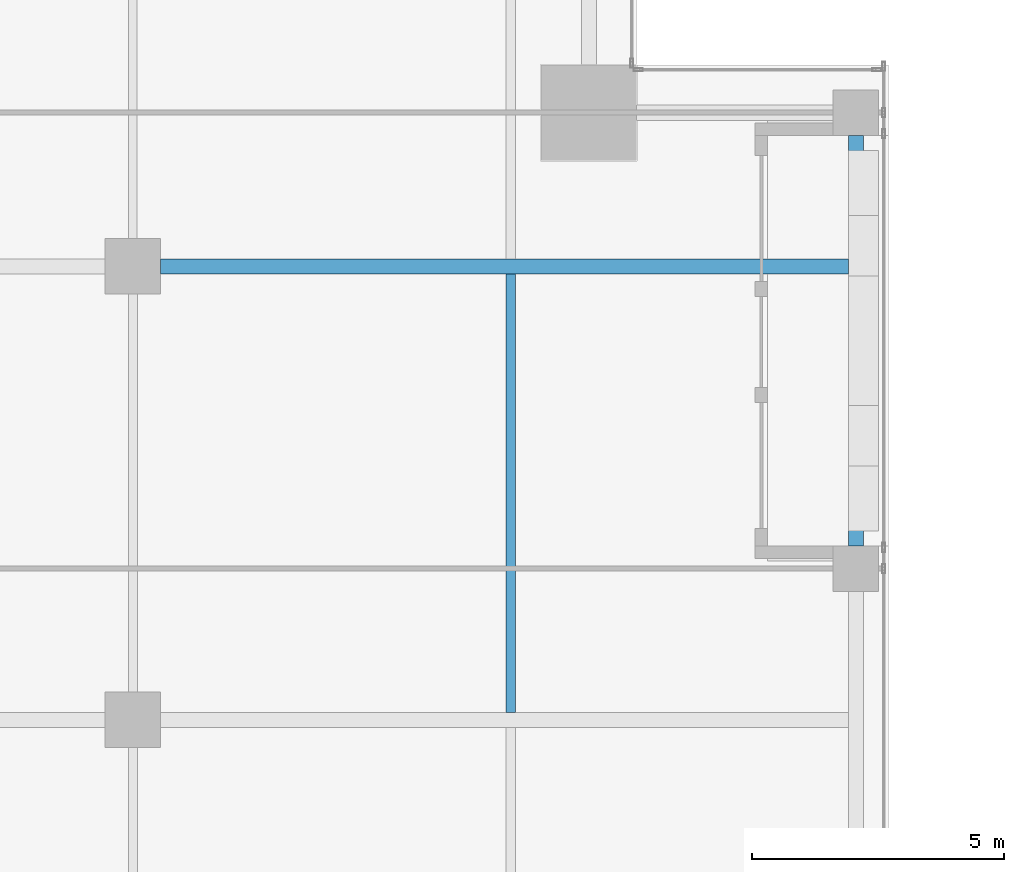
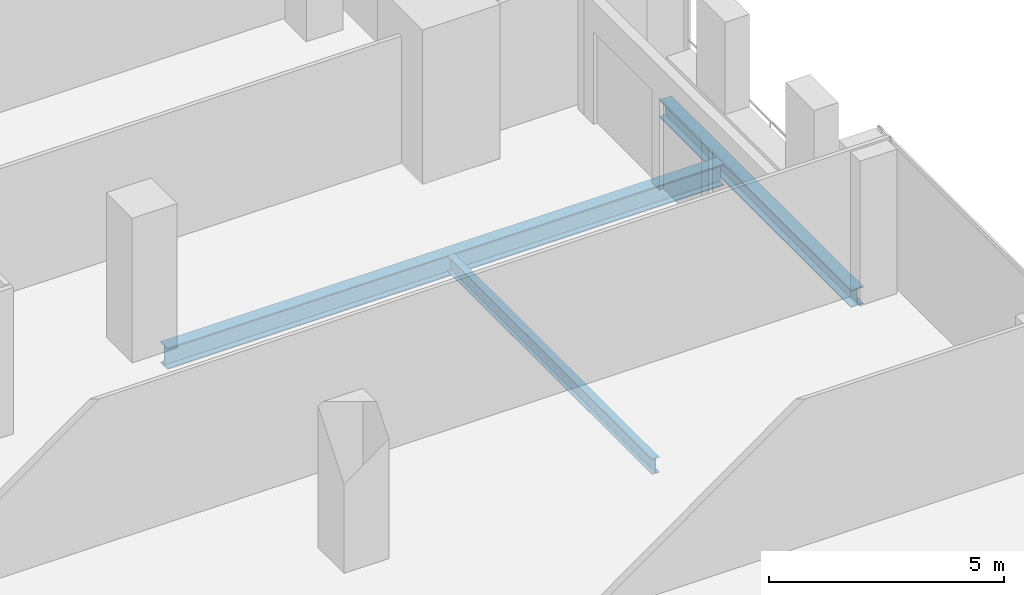
# One storey, part 19 of 34: 3 beams.
"""IFC4 building model written with IfcOpenShell, lengths in metres."""

from ifc_helpers import new_model, si_unit, direction, frame, origin, origin_2d, place, context, subcontext, project, spatial, i_section, extrude, source, transform, mapped, material, material_profile, profile_set, type_object, element, save


model = new_model("IFC4")

# Units and contexts
model_context = context("Model", 3, precision=1e-05, world=origin(), true_north=direction((0.0, 1.0)))
body_context = subcontext(model_context, "Body", "Model", "MODEL_VIEW")
ifc_project = project(units=[si_unit("LENGTHUNIT", "METRE"), si_unit("AREAUNIT", "SQUARE_METRE"), si_unit("VOLUMEUNIT", "CUBIC_METRE"), si_unit("PLANEANGLEUNIT", "RADIAN"), si_unit("MASSUNIT", "GRAM", prefix="KILO")], contexts=[model_context])

# Site, building, storey
site_placement = place(None, origin())
site = spatial("IfcSite", under=ifc_project, at=site_placement, CompositionType="ELEMENT")
building_placement = place(site_placement, origin())
building = spatial("IfcBuilding", under=site, at=building_placement, Name="Khomas Fold Tower", CompositionType="ELEMENT")
storey_placement = place(building_placement, frame((0.0, 0.0, 254.199951171875)))
storey = spatial("IfcBuildingStorey", under=building, at=storey_placement, Name="L57", CompositionType="ELEMENT", Elevation=254.199951171875)

# Beams
ifc_material_1 = material(Name="Steel S355", Category="steel")
ifc_material_profile_1 = material_profile(ifc_material_1, i_section(OverallWidth=0.179931640625, OverallDepth=0.39990234375, WebThickness=0.008544921875, FlangeThickness=0.013427734375, at=origin_2d()), Name="IPE 400")
ifc_profile_set_1 = profile_set([ifc_material_profile_1], Name="Steel S355")
beam_type_1 = type_object("IfcBeamType", Name="IPE 400 beam JB3", PredefinedType="BEAM", material=ifc_profile_set_1)
shared_shape_1 = source(origin(), body_context, "Body", "SweptSolid", [
    extrude(i_section(OverallWidth=0.179931640625, OverallDepth=0.39990234375, WebThickness=0.008544921875, FlangeThickness=0.013427734375, at=origin_2d()), origin(), (0.0, 0.0, 1.0), 8.7001953125),
])
beam_1_placement = place(storey_placement, frame((42.0, 31.64990234375, -0.449951171875), z_axis=(0.0, 1.0, 0.0), x_axis=(-1.0, 0.0, 0.0)))
element("IfcBeam", 1, at=beam_1_placement, inside=storey, type_object=beam_type_1, Name="JB3", PredefinedType="BEAM", context=body_context, shape_type="MappedRepresentation", body=[
    mapped(shared_shape_1, transform((0.0, 0.0, 0.0))),
])
ifc_material_2 = material(Name="Steel S355", Category="steel")
ifc_material_profile_2 = material_profile(ifc_material_2, i_section(OverallWidth=0.300048828125, OverallDepth=0.449951171875, WebThickness=0.013916015625, FlangeThickness=0.02587890625, at=origin_2d()), Name="HE 450 B")
ifc_profile_set_2 = profile_set([ifc_material_profile_2], Name="Steel S355")
beam_type_2 = type_object("IfcBeamType", Name="HE 450 B spandrel SB4", PredefinedType="SPANDREL", material=ifc_profile_set_2)
shared_shape_2 = source(origin(), body_context, "Body", "SweptSolid", [
    extrude(i_section(OverallWidth=0.300048828125, OverallDepth=0.449951171875, WebThickness=0.013916015625, FlangeThickness=0.02587890625, at=origin_2d()), origin(), (0.0, 0.0, 1.0), 8.150146484375),
])
beam_2_placement = place(storey_placement, frame((48.85009765625, 34.949951171875, -0.474853515625), z_axis=(0.0, 1.0, 0.0), x_axis=(-1.0, 0.0, 0.0)))
element("IfcBeam", 2, at=beam_2_placement, inside=storey, type_object=beam_type_2, Name="SB4", PredefinedType="SPANDREL", context=body_context, shape_type="MappedRepresentation", body=[
    mapped(shared_shape_2, transform((0.0, 0.0, 0.0))),
])
ifc_material_3 = material(Name="Steel S355", Category="steel")
ifc_material_profile_3 = material_profile(ifc_material_3, i_section(OverallWidth=0.300048828125, OverallDepth=0.550048828125, WebThickness=0.014892578125, FlangeThickness=0.029052734375, at=origin_2d()), Name="HE 550 B")
ifc_profile_set_3 = profile_set([ifc_material_profile_3], Name="Steel S355")
beam_type_3 = type_object("IfcBeamType", Name="HE 550 B beam GB4", PredefinedType="BEAM", material=ifc_profile_set_3)
shared_shape_3 = source(origin(), body_context, "Body", "SweptSolid", [
    extrude(i_section(OverallWidth=0.300048828125, OverallDepth=0.550048828125, WebThickness=0.014892578125, FlangeThickness=0.029052734375, at=origin_2d()), origin(), (0.0, 0.0, 1.0), 13.64990234375),
])
beam_3_placement = place(storey_placement, frame((35.050048828125, 40.5, -0.52490234375), z_axis=(1.0, 0.0, 0.0), x_axis=(0.0, 1.0, 0.0)))
element("IfcBeam", 3, at=beam_3_placement, inside=storey, type_object=beam_type_3, Name="GB4", PredefinedType="BEAM", context=body_context, shape_type="MappedRepresentation", body=[
    mapped(shared_shape_3, transform((0.0, 0.0, 0.0))),
])

save(model, "model.ifc")
